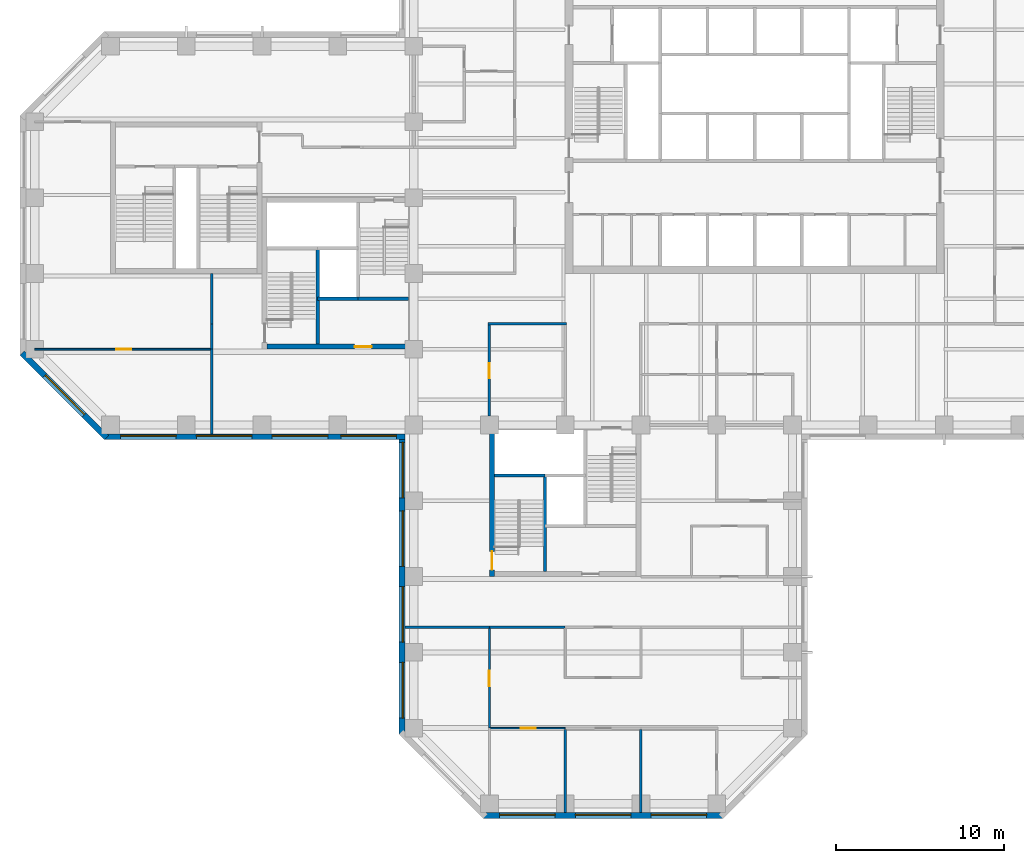
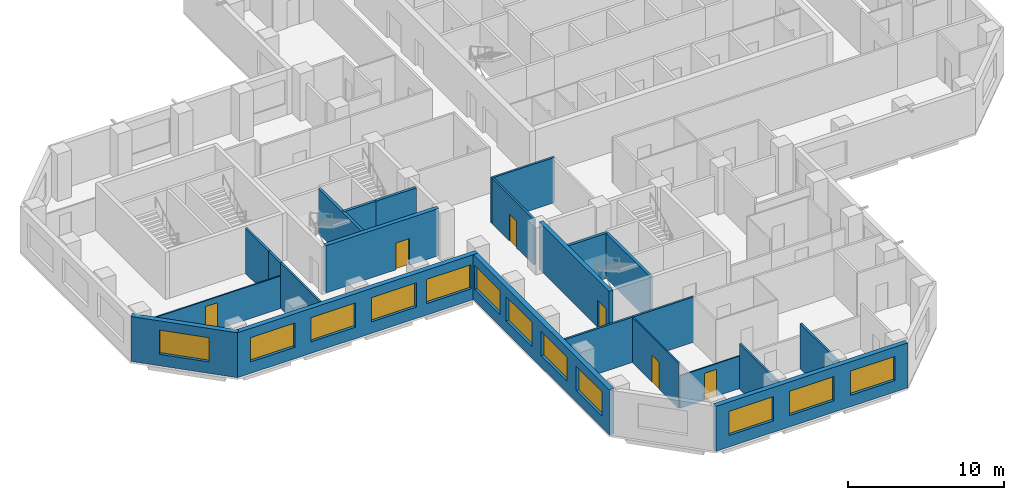
# One storey, part 3 of 11: 23 walls, 12 windows, 6 doors, 18 openings.
"""IFC4 building model written with IfcOpenShell, lengths in metres."""

from ifc_helpers import new_model, si_unit, direction, frame, frame_2d, origin, place, context, subcontext, project, spatial, rectangle, extrude, material, layer, layer_set, constituent, constituent_set, type_object, element, fill, save


model = new_model("IFC4")

# Units and contexts
model_context = context("Model", 3, precision=1e-05, world=origin(), true_north=direction((0.0, 1.0)))
body_context = subcontext(model_context, "Body", "Model", "MODEL_VIEW")
ifc_project = project(units=[si_unit("LENGTHUNIT", "METRE"), si_unit("AREAUNIT", "SQUARE_METRE"), si_unit("VOLUMEUNIT", "CUBIC_METRE"), si_unit("PLANEANGLEUNIT", "RADIAN"), si_unit("MASSUNIT", "GRAM", prefix="KILO")], contexts=[model_context])

# Site, building, storey
site_placement = place(None, origin())
site = spatial("IfcSite", under=ifc_project, at=site_placement, CompositionType="ELEMENT")
building_placement = place(site_placement, origin())
building = spatial("IfcBuilding", under=site, at=building_placement, Name="Quoin Convention Tower", CompositionType="ELEMENT")
storey_placement = place(building_placement, frame((0.0, 0.0, 78.89990234375)))
storey = spatial("IfcBuildingStorey", under=building, at=storey_placement, Name="L20", CompositionType="ELEMENT", Elevation=78.89990234375)

# Walls
ifc_material_1 = material(Name="Plasterboard")
ifc_layer_1 = layer(ifc_material_1, 0.012451171875, Name="Finish")
ifc_material_2 = material(Name="Steel stud framing", Category="steel")
ifc_layer_2 = layer(ifc_material_2, 0.125, Name="Structure")
ifc_layer_3 = layer(ifc_material_1, 0.012451171875, Name="Finish")
ifc_layer_set_1 = layer_set([ifc_layer_1, ifc_layer_2, ifc_layer_3], Name="Steel stud framing")
wall_type_1 = type_object("IfcWallType", Name="Acoustic partition 150", PredefinedType="PARTITIONING", material=ifc_layer_set_1)
for number, where, z_axis, x_axis, name in (
    (1, (45.0, 17.47509765625, 0.0), (0.0, 0.0, 1.0), (0.0, 1.0, 0.0), "pw-L20-063"),
    (2, (49.5, 17.47509765625, 0.0), (0.0, 0.0, 1.0), (0.0, 1.0, 0.0), "pw-L20-064"),
):
    element("IfcWall", number, at=place(storey_placement, frame(where, z_axis=z_axis, x_axis=x_axis)), inside=storey, type_object=wall_type_1, Name=name, PredefinedType="PARTITIONING", context=body_context, shape_type="SweptSolid", body=[
        extrude(rectangle(XDim=4.949951171875, YDim=0.14990234375, at=frame_2d((2.47509765625, 0.0))), origin(), (0.0, 0.0, 1.0), 3.550048828125),
    ])

# Wall, opening, window
ifc_material_3 = material(Name="Brick masonry", Category="masonry")
ifc_layer_4 = layer(ifc_material_3, 0.35009765625)
ifc_layer_set_2 = layer_set([ifc_layer_4], Name="Brick masonry")
wall_type_2 = type_object("IfcWallType", Name="Brick facade wall", PredefinedType="STANDARD", material=ifc_layer_set_2)
wall_1_placement = place(storey_placement, frame((12.748779296875, 44.76123046875, 0.0), z_axis=(0.0, 0.0, 1.0), x_axis=(0.707106781187, -0.707106781187, 0.0)))
wall_1 = element("IfcWall", 3, at=wall_1_placement, inside=storey, type_object=wall_type_2, Name="fw-L20-13500_45000", PredefinedType="STANDARD", context=body_context, shape_type="SweptSolid", body=[
    extrude(rectangle(XDim=7.088623046875, YDim=0.35009765625, at=frame_2d((3.54443359375, 0.0))), origin(), (0.0, 0.0, 1.0), 3.525146484375),
])
opening_1_placement = place(wall_1_placement, frame((1.894287109375, 0.0, 0.89990234375)))
opening_1 = element("IfcOpeningElement", 4, at=opening_1_placement, cuts=wall_1, Name="Opening W-02", PredefinedType="OPENING", context=body_context, shape_type="SweptSolid", body=[
    extrude(rectangle(XDim=3.300048828125, YDim=1.89990234375, at=frame_2d((1.64990234375, 0.949951171875))), frame((0.0, 0.18505859375, 0.0), z_axis=(0.0, -1.0, 0.0), x_axis=(1.0, 0.0, 0.0)), (0.0, 0.0, 1.0), 0.3701171875),
])
ifc_material_4 = material(Name="Aluminium", Category="aluminium")
ifc_constituent_1 = constituent(ifc_material_4, Name="Frame")
ifc_material_5 = material(Name="Insulated glass", Category="glass")
ifc_constituent_2 = constituent(ifc_material_5, Name="Glazing")
ifc_constituent_set = constituent_set(constituents=[ifc_constituent_1, ifc_constituent_2], Name="Aluminium")
window_type = type_object("IfcWindowType", Name="Office window", PartitioningType="DOUBLE_PANEL_VERTICAL", PredefinedType="WINDOW", material=ifc_constituent_set)
window_1_placement = place(opening_1_placement, origin())
window_1 = element("IfcWindow", 5, at=window_1_placement, inside=storey, type_object=window_type, Name="win-L20-15255_42255", OverallHeight=1.89990234375, OverallWidth=3.300048828125, PartitioningType="SINGLE_PANEL", PredefinedType="WINDOW", context=body_context, shape_type="SweptSolid", body=[
    extrude(rectangle(XDim=3.300048828125, YDim=1.89990234375, at=frame_2d((1.64990234375, 0.949951171875))), frame((0.0, 0.0849609375, 0.0), z_axis=(0.0, -1.0, 0.0), x_axis=(1.0, 0.0, 0.0)), (0.0, 0.0, 1.0), 0.06005859375),
])
fill(opening_1, window_1)

# Wall, openings, windows
wall_2_placement = place(storey_placement, frame((17.6376953125, 39.800048828125, 0.0), z_axis=(0.0, 0.0, 1.0), x_axis=(1.0, 0.0, 0.0)))
wall_2 = element("IfcWall", 6, at=wall_2_placement, inside=storey, type_object=wall_type_2, Name="fw-L20-18000_40500", PredefinedType="STANDARD", context=body_context, shape_type="SweptSolid", body=[
    extrude(rectangle(XDim=17.83740234375, YDim=0.35009765625, at=frame_2d((8.918701171875, 0.0))), origin(), (0.0, 0.0, 1.0), 3.525146484375),
])
opening_2_placement = place(wall_2_placement, frame((0.96240234375, 0.0, 0.89990234375)))
opening_2 = element("IfcOpeningElement", 7, at=opening_2_placement, cuts=wall_2, Name="Opening W-02", PredefinedType="OPENING", context=body_context, shape_type="SweptSolid", body=[
    extrude(rectangle(XDim=3.300048828125, YDim=1.89990234375, at=frame_2d((1.64990234375, 0.949951171875))), frame((0.0, 0.18505859375, 0.0), z_axis=(0.0, -1.0, 0.0), x_axis=(1.0, 0.0, 0.0)), (0.0, 0.0, 1.0), 0.3701171875),
])
opening_3_placement = place(wall_2_placement, frame((5.46240234375, 0.0, 0.89990234375)))
opening_3 = element("IfcOpeningElement", 8, at=opening_3_placement, cuts=wall_2, Name="Opening W-02", PredefinedType="OPENING", context=body_context, shape_type="SweptSolid", body=[
    extrude(rectangle(XDim=3.300048828125, YDim=1.89990234375, at=frame_2d((1.64990234375, 0.949951171875))), frame((0.0, 0.18505859375, 0.0), z_axis=(0.0, -1.0, 0.0), x_axis=(1.0, 0.0, 0.0)), (0.0, 0.0, 1.0), 0.3701171875),
])
opening_4_placement = place(wall_2_placement, frame((9.96240234375, 0.0, 0.89990234375)))
opening_4 = element("IfcOpeningElement", 9, at=opening_4_placement, cuts=wall_2, Name="Opening W-02", PredefinedType="OPENING", context=body_context, shape_type="SweptSolid", body=[
    extrude(rectangle(XDim=3.300048828125, YDim=1.89990234375, at=frame_2d((1.64990234375, 0.949951171875))), frame((0.0, 0.18505859375, 0.0), z_axis=(0.0, -1.0, 0.0), x_axis=(1.0, 0.0, 0.0)), (0.0, 0.0, 1.0), 0.3701171875),
])
opening_5_placement = place(wall_2_placement, frame((14.037353515625, 0.0, 0.89990234375)))
opening_5 = element("IfcOpeningElement", 10, at=opening_5_placement, cuts=wall_2, Name="Opening W-02", PredefinedType="OPENING", context=body_context, shape_type="SweptSolid", body=[
    extrude(rectangle(XDim=3.300048828125, YDim=1.89990234375, at=frame_2d((1.64990234375, 0.949951171875))), frame((0.0, 0.18505859375, 0.0), z_axis=(0.0, -1.0, 0.0), x_axis=(1.0, 0.0, 0.0)), (0.0, 0.0, 1.0), 0.3701171875),
])
window_2_placement = place(opening_2_placement, origin())
window_2 = element("IfcWindow", 11, at=window_2_placement, inside=storey, type_object=window_type, Name="win-L20-20250_39800", OverallHeight=1.89990234375, OverallWidth=3.300048828125, PartitioningType="SINGLE_PANEL", PredefinedType="WINDOW", context=body_context, shape_type="SweptSolid", body=[
    extrude(rectangle(XDim=3.300048828125, YDim=1.89990234375, at=frame_2d((1.64990234375, 0.949951171875))), frame((0.0, 0.0849609375, 0.0), z_axis=(0.0, -1.0, 0.0), x_axis=(1.0, 0.0, 0.0)), (0.0, 0.0, 1.0), 0.06005859375),
])
fill(opening_2, window_2)
window_3_placement = place(opening_3_placement, origin())
window_3 = element("IfcWindow", 12, at=window_3_placement, inside=storey, type_object=window_type, Name="win-L20-24750_39800", OverallHeight=1.89990234375, OverallWidth=3.300048828125, PartitioningType="SINGLE_PANEL", PredefinedType="WINDOW", context=body_context, shape_type="SweptSolid", body=[
    extrude(rectangle(XDim=3.300048828125, YDim=1.89990234375, at=frame_2d((1.64990234375, 0.949951171875))), frame((0.0, 0.0849609375, 0.0), z_axis=(0.0, -1.0, 0.0), x_axis=(1.0, 0.0, 0.0)), (0.0, 0.0, 1.0), 0.06005859375),
])
fill(opening_3, window_3)
window_4_placement = place(opening_4_placement, origin())
window_4 = element("IfcWindow", 13, at=window_4_placement, inside=storey, type_object=window_type, Name="win-L20-29250_39800", OverallHeight=1.89990234375, OverallWidth=3.300048828125, PartitioningType="SINGLE_PANEL", PredefinedType="WINDOW", context=body_context, shape_type="SweptSolid", body=[
    extrude(rectangle(XDim=3.300048828125, YDim=1.89990234375, at=frame_2d((1.64990234375, 0.949951171875))), frame((0.0, 0.0849609375, 0.0), z_axis=(0.0, -1.0, 0.0), x_axis=(1.0, 0.0, 0.0)), (0.0, 0.0, 1.0), 0.06005859375),
])
fill(opening_4, window_4)
window_5_placement = place(opening_5_placement, origin())
window_5 = element("IfcWindow", 14, at=window_5_placement, inside=storey, type_object=window_type, Name="win-L20-33750_39800", OverallHeight=1.89990234375, OverallWidth=3.300048828125, PartitioningType="SINGLE_PANEL", PredefinedType="WINDOW", context=body_context, shape_type="SweptSolid", body=[
    extrude(rectangle(XDim=3.300048828125, YDim=1.89990234375, at=frame_2d((1.64990234375, 0.949951171875))), frame((0.0, 0.0849609375, 0.0), z_axis=(0.0, -1.0, 0.0), x_axis=(1.0, 0.0, 0.0)), (0.0, 0.0, 1.0), 0.06005859375),
])
fill(opening_5, window_5)

wall_3_placement = place(storey_placement, frame((35.300048828125, 39.97509765625, 0.0), z_axis=(0.0, 0.0, 1.0), x_axis=(0.0, -1.0, 0.0)))
wall_3 = element("IfcWall", 15, at=wall_3_placement, inside=storey, type_object=wall_type_2, Name="fw-L20-36000_40500", PredefinedType="STANDARD", context=body_context, shape_type="SweptSolid", body=[
    extrude(rectangle(XDim=17.83740234375, YDim=0.35009765625, at=frame_2d((8.918701171875, 0.0))), origin(), (0.0, 0.0, 1.0), 3.525146484375),
])
opening_6_placement = place(wall_3_placement, frame((0.5, 0.0, 0.89990234375)))
opening_6 = element("IfcOpeningElement", 16, at=opening_6_placement, cuts=wall_3, Name="Opening W-02", PredefinedType="OPENING", context=body_context, shape_type="SweptSolid", body=[
    extrude(rectangle(XDim=3.300048828125, YDim=1.89990234375, at=frame_2d((1.64990234375, 0.949951171875))), frame((0.0, 0.18505859375, 0.0), z_axis=(0.0, -1.0, 0.0), x_axis=(1.0, 0.0, 0.0)), (0.0, 0.0, 1.0), 0.3701171875),
])
opening_7_placement = place(wall_3_placement, frame((4.574951171875, 0.0, 0.89990234375)))
opening_7 = element("IfcOpeningElement", 17, at=opening_7_placement, cuts=wall_3, Name="Opening W-02", PredefinedType="OPENING", context=body_context, shape_type="SweptSolid", body=[
    extrude(rectangle(XDim=3.300048828125, YDim=1.89990234375, at=frame_2d((1.64990234375, 0.949951171875))), frame((0.0, 0.18505859375, 0.0), z_axis=(0.0, -1.0, 0.0), x_axis=(1.0, 0.0, 0.0)), (0.0, 0.0, 1.0), 0.3701171875),
])
opening_8_placement = place(wall_3_placement, frame((9.074951171875, 0.0, 0.89990234375)))
opening_8 = element("IfcOpeningElement", 18, at=opening_8_placement, cuts=wall_3, Name="Opening W-02", PredefinedType="OPENING", context=body_context, shape_type="SweptSolid", body=[
    extrude(rectangle(XDim=3.300048828125, YDim=1.89990234375, at=frame_2d((1.64990234375, 0.949951171875))), frame((0.0, 0.18505859375, 0.0), z_axis=(0.0, -1.0, 0.0), x_axis=(1.0, 0.0, 0.0)), (0.0, 0.0, 1.0), 0.3701171875),
])
opening_9_placement = place(wall_3_placement, frame((13.574951171875, 0.0, 0.89990234375)))
opening_9 = element("IfcOpeningElement", 19, at=opening_9_placement, cuts=wall_3, Name="Opening W-02", PredefinedType="OPENING", context=body_context, shape_type="SweptSolid", body=[
    extrude(rectangle(XDim=3.300048828125, YDim=1.89990234375, at=frame_2d((1.64990234375, 0.949951171875))), frame((0.0, 0.18505859375, 0.0), z_axis=(0.0, -1.0, 0.0), x_axis=(1.0, 0.0, 0.0)), (0.0, 0.0, 1.0), 0.3701171875),
])
window_6_placement = place(opening_6_placement, origin())
window_6 = element("IfcWindow", 20, at=window_6_placement, inside=storey, type_object=window_type, Name="win-L20-35300_38250", OverallHeight=1.89990234375, OverallWidth=3.300048828125, PartitioningType="SINGLE_PANEL", PredefinedType="WINDOW", context=body_context, shape_type="SweptSolid", body=[
    extrude(rectangle(XDim=3.300048828125, YDim=1.89990234375, at=frame_2d((1.64990234375, 0.949951171875))), frame((0.0, 0.0849609375, 0.0), z_axis=(0.0, -1.0, 0.0), x_axis=(1.0, 0.0, 0.0)), (0.0, 0.0, 1.0), 0.06005859375),
])
fill(opening_6, window_6)
window_7_placement = place(opening_7_placement, origin())
window_7 = element("IfcWindow", 21, at=window_7_placement, inside=storey, type_object=window_type, Name="win-L20-35300_33750", OverallHeight=1.89990234375, OverallWidth=3.300048828125, PartitioningType="SINGLE_PANEL", PredefinedType="WINDOW", context=body_context, shape_type="SweptSolid", body=[
    extrude(rectangle(XDim=3.300048828125, YDim=1.89990234375, at=frame_2d((1.64990234375, 0.949951171875))), frame((0.0, 0.0849609375, 0.0), z_axis=(0.0, -1.0, 0.0), x_axis=(1.0, 0.0, 0.0)), (0.0, 0.0, 1.0), 0.06005859375),
])
fill(opening_7, window_7)
window_8_placement = place(opening_8_placement, origin())
window_8 = element("IfcWindow", 22, at=window_8_placement, inside=storey, type_object=window_type, Name="win-L20-35300_29250", OverallHeight=1.89990234375, OverallWidth=3.300048828125, PartitioningType="SINGLE_PANEL", PredefinedType="WINDOW", context=body_context, shape_type="SweptSolid", body=[
    extrude(rectangle(XDim=3.300048828125, YDim=1.89990234375, at=frame_2d((1.64990234375, 0.949951171875))), frame((0.0, 0.0849609375, 0.0), z_axis=(0.0, -1.0, 0.0), x_axis=(1.0, 0.0, 0.0)), (0.0, 0.0, 1.0), 0.06005859375),
])
fill(opening_8, window_8)
window_9_placement = place(opening_9_placement, origin())
window_9 = element("IfcWindow", 23, at=window_9_placement, inside=storey, type_object=window_type, Name="win-L20-35300_24750", OverallHeight=1.89990234375, OverallWidth=3.300048828125, PartitioningType="SINGLE_PANEL", PredefinedType="WINDOW", context=body_context, shape_type="SweptSolid", body=[
    extrude(rectangle(XDim=3.300048828125, YDim=1.89990234375, at=frame_2d((1.64990234375, 0.949951171875))), frame((0.0, 0.0849609375, 0.0), z_axis=(0.0, -1.0, 0.0), x_axis=(1.0, 0.0, 0.0)), (0.0, 0.0, 1.0), 0.06005859375),
])
fill(opening_9, window_9)

wall_4_placement = place(storey_placement, frame((40.1376953125, 17.300048828125, 0.0), z_axis=(0.0, 0.0, 1.0), x_axis=(1.0, 0.0, 0.0)))
wall_4 = element("IfcWall", 24, at=wall_4_placement, inside=storey, type_object=wall_type_2, Name="fw-L20-40500_18000", PredefinedType="STANDARD", context=body_context, shape_type="SweptSolid", body=[
    extrude(rectangle(XDim=14.224609375, YDim=0.35009765625, at=frame_2d((7.1123046875, 0.0))), origin(), (0.0, 0.0, 1.0), 3.525146484375),
])
opening_10_placement = place(wall_4_placement, frame((0.96240234375, 0.0, 0.89990234375)))
opening_10 = element("IfcOpeningElement", 25, at=opening_10_placement, cuts=wall_4, Name="Opening W-02", PredefinedType="OPENING", context=body_context, shape_type="SweptSolid", body=[
    extrude(rectangle(XDim=3.300048828125, YDim=1.89990234375, at=frame_2d((1.64990234375, 0.949951171875))), frame((0.0, 0.18505859375, 0.0), z_axis=(0.0, -1.0, 0.0), x_axis=(1.0, 0.0, 0.0)), (0.0, 0.0, 1.0), 0.3701171875),
])
opening_11_placement = place(wall_4_placement, frame((5.46240234375, 0.0, 0.89990234375)))
opening_11 = element("IfcOpeningElement", 26, at=opening_11_placement, cuts=wall_4, Name="Opening W-02", PredefinedType="OPENING", context=body_context, shape_type="SweptSolid", body=[
    extrude(rectangle(XDim=3.300048828125, YDim=1.89990234375, at=frame_2d((1.64990234375, 0.949951171875))), frame((0.0, 0.18505859375, 0.0), z_axis=(0.0, -1.0, 0.0), x_axis=(1.0, 0.0, 0.0)), (0.0, 0.0, 1.0), 0.3701171875),
])
opening_12_placement = place(wall_4_placement, frame((9.96240234375, 0.0, 0.89990234375)))
opening_12 = element("IfcOpeningElement", 27, at=opening_12_placement, cuts=wall_4, Name="Opening W-02", PredefinedType="OPENING", context=body_context, shape_type="SweptSolid", body=[
    extrude(rectangle(XDim=3.300048828125, YDim=1.89990234375, at=frame_2d((1.64990234375, 0.949951171875))), frame((0.0, 0.18505859375, 0.0), z_axis=(0.0, -1.0, 0.0), x_axis=(1.0, 0.0, 0.0)), (0.0, 0.0, 1.0), 0.3701171875),
])
window_10_placement = place(opening_10_placement, origin())
window_10 = element("IfcWindow", 28, at=window_10_placement, inside=storey, type_object=window_type, Name="win-L20-42750_17300", OverallHeight=1.89990234375, OverallWidth=3.300048828125, PartitioningType="SINGLE_PANEL", PredefinedType="WINDOW", context=body_context, shape_type="SweptSolid", body=[
    extrude(rectangle(XDim=3.300048828125, YDim=1.89990234375, at=frame_2d((1.64990234375, 0.949951171875))), frame((0.0, 0.0849609375, 0.0), z_axis=(0.0, -1.0, 0.0), x_axis=(1.0, 0.0, 0.0)), (0.0, 0.0, 1.0), 0.06005859375),
])
fill(opening_10, window_10)
window_11_placement = place(opening_11_placement, origin())
window_11 = element("IfcWindow", 29, at=window_11_placement, inside=storey, type_object=window_type, Name="win-L20-47250_17300", OverallHeight=1.89990234375, OverallWidth=3.300048828125, PartitioningType="SINGLE_PANEL", PredefinedType="WINDOW", context=body_context, shape_type="SweptSolid", body=[
    extrude(rectangle(XDim=3.300048828125, YDim=1.89990234375, at=frame_2d((1.64990234375, 0.949951171875))), frame((0.0, 0.0849609375, 0.0), z_axis=(0.0, -1.0, 0.0), x_axis=(1.0, 0.0, 0.0)), (0.0, 0.0, 1.0), 0.06005859375),
])
fill(opening_11, window_11)
window_12_placement = place(opening_12_placement, origin())
window_12 = element("IfcWindow", 30, at=window_12_placement, inside=storey, type_object=window_type, Name="win-L20-51750_17300", OverallHeight=1.89990234375, OverallWidth=3.300048828125, PartitioningType="SINGLE_PANEL", PredefinedType="WINDOW", context=body_context, shape_type="SweptSolid", body=[
    extrude(rectangle(XDim=3.300048828125, YDim=1.89990234375, at=frame_2d((1.64990234375, 0.949951171875))), frame((0.0, 0.0849609375, 0.0), z_axis=(0.0, -1.0, 0.0), x_axis=(1.0, 0.0, 0.0)), (0.0, 0.0, 1.0), 0.06005859375),
])
fill(opening_12, window_12)

# Walls
ifc_material_6 = material(Name="Concrete C50", Category="concrete")
ifc_layer_5 = layer(ifc_material_6, 0.199951171875)
ifc_layer_set_3 = layer_set([ifc_layer_5], Name="Concrete C50")
wall_type_3 = type_object("IfcWallType", Name="Core shaft wall", PredefinedType="SOLIDWALL", material=ifc_layer_set_3)
wall_5_placement = place(storey_placement, frame((30.300048828125, 48.0, 0.0), z_axis=(0.0, 0.0, 1.0), x_axis=(1.0, 0.0, 0.0)))
element("IfcWall", 31, at=wall_5_placement, inside=storey, type_object=wall_type_3, Name="cr-P2-L20-h3000_3300", PredefinedType="SOLIDWALL", context=body_context, shape_type="SweptSolid", body=[
    extrude(rectangle(XDim=2.39990234375, YDim=0.199951171875, at=frame_2d((1.199951171875, 0.0))), origin(), (0.0, 0.0, 1.0), 3.550048828125),
])
wall_6_placement = place(storey_placement, frame((32.699951171875, 48.0, 0.0), z_axis=(0.0, 0.0, 1.0), x_axis=(1.0, 0.0, 0.0)))
element("IfcWall", 32, at=wall_6_placement, inside=storey, type_object=wall_type_3, Name="cr-P2-L20-h3000_5700", PredefinedType="SOLIDWALL", context=body_context, shape_type="SweptSolid", body=[
    extrude(rectangle(XDim=3.0, YDim=0.199951171875, at=frame_2d((1.5, 0.0))), origin(), (0.0, 0.0, 1.0), 3.550048828125),
])
wall_7_placement = place(storey_placement, frame((30.300048828125, 45.300048828125, 0.0), z_axis=(0.0, 0.0, 1.0), x_axis=(0.0, 1.0, 0.0)))
element("IfcWall", 33, at=wall_7_placement, inside=storey, type_object=wall_type_3, Name="cr-P2-L20-v3300_300", PredefinedType="SOLIDWALL", context=body_context, shape_type="SweptSolid", body=[
    extrude(rectangle(XDim=5.699951171875, YDim=0.199951171875, at=frame_2d((2.85009765625, 0.0))), origin(), (0.0, 0.0, 1.0), 3.550048828125),
])
wall_8_placement = place(storey_placement, frame((40.800048828125, 37.5, 0.0), z_axis=(0.0, 0.0, 1.0), x_axis=(1.0, 0.0, 0.0)))
element("IfcWall", 34, at=wall_8_placement, inside=storey, type_object=wall_type_3, Name="cr-P3-L20-h6000_300", PredefinedType="SOLIDWALL", context=body_context, shape_type="SweptSolid", body=[
    extrude(rectangle(XDim=3.0, YDim=0.199951171875, at=frame_2d((1.5, 0.0))), origin(), (0.0, 0.0, 1.0), 3.550048828125),
])
wall_9_placement = place(storey_placement, frame((43.800048828125, 31.800048828125, 0.0), z_axis=(0.0, 0.0, 1.0), x_axis=(0.0, 1.0, 0.0)))
element("IfcWall", 35, at=wall_9_placement, inside=storey, type_object=wall_type_3, Name="cr-P3-L20-v3300_300", PredefinedType="SOLIDWALL", context=body_context, shape_type="SweptSolid", body=[
    extrude(rectangle(XDim=5.699951171875, YDim=0.199951171875, at=frame_2d((2.85009765625, 0.0))), origin(), (0.0, 0.0, 1.0), 3.550048828125),
])
ifc_layer_6 = layer(ifc_material_1, 0.012451171875, Name="Finish")
ifc_layer_7 = layer(ifc_material_2, 0.125, Name="Structure")
ifc_layer_8 = layer(ifc_material_1, 0.012451171875, Name="Finish")
ifc_layer_set_4 = layer_set([ifc_layer_6, ifc_layer_7, ifc_layer_8], Name="Steel stud framing")
wall_type_4 = type_object("IfcWallType", Name="Corridor wall 150", PredefinedType="PARTITIONING", material=ifc_layer_set_4)
wall_10_placement = place(storey_placement, frame((35.47509765625, 28.5, 0.0), z_axis=(0.0, 0.0, 1.0), x_axis=(1.0, 0.0, 0.0)))
element("IfcWall", 36, at=wall_10_placement, inside=storey, type_object=wall_type_4, Name="pw-L20-006", PredefinedType="PARTITIONING", context=body_context, shape_type="SweptSolid", body=[
    extrude(rectangle(XDim=5.02490234375, YDim=0.14990234375, at=frame_2d((2.512451171875, 0.0))), origin(), (0.0, 0.0, 1.0), 3.550048828125),
])
wall_11_placement = place(storey_placement, frame((40.5, 28.5, 0.0), z_axis=(0.0, 0.0, 1.0), x_axis=(1.0, 0.0, 0.0)))
element("IfcWall", 37, at=wall_11_placement, inside=storey, type_object=wall_type_4, Name="pw-L20-007", PredefinedType="PARTITIONING", context=body_context, shape_type="SweptSolid", body=[
    extrude(rectangle(XDim=4.5, YDim=0.14990234375, at=frame_2d((2.25, 0.0))), origin(), (0.0, 0.0, 1.0), 3.550048828125),
])
wall_12_placement = place(storey_placement, frame((40.425048828125, 46.5, 0.0), z_axis=(0.0, 0.0, 1.0), x_axis=(1.0, 0.0, 0.0)))
element("IfcWall", 38, at=wall_12_placement, inside=storey, type_object=wall_type_4, Name="pw-L20-024", PredefinedType="PARTITIONING", context=body_context, shape_type="SweptSolid", body=[
    extrude(rectangle(XDim=4.64990234375, YDim=0.14990234375, at=frame_2d((2.324951171875, 0.0))), origin(), (0.0, 0.0, 1.0), 3.550048828125),
])
wall_13_placement = place(storey_placement, frame((24.0, 39.97509765625, 0.0), z_axis=(0.0, 0.0, 1.0), x_axis=(0.0, 1.0, 0.0)))
element("IfcWall", 39, at=wall_13_placement, inside=storey, type_object=wall_type_4, Name="pw-L20-074", PredefinedType="PARTITIONING", context=body_context, shape_type="SweptSolid", body=[
    extrude(rectangle(XDim=5.02490234375, YDim=0.14990234375, at=frame_2d((2.512451171875, 0.0))), origin(), (0.0, 0.0, 1.0), 3.550048828125),
])

# Wall, opening, door
wall_14_placement = place(storey_placement, frame((40.5, 41.02490234375, 0.0), z_axis=(0.0, 0.0, 1.0), x_axis=(0.0, 1.0, 0.0)))
wall_14 = element("IfcWall", 40, at=wall_14_placement, inside=storey, type_object=wall_type_4, Name="pw-L20-075", PredefinedType="PARTITIONING", context=body_context, shape_type="SweptSolid", body=[
    extrude(rectangle(XDim=5.400146484375, YDim=0.14990234375, at=frame_2d((2.7001953125, 0.0))), origin(), (0.0, 0.0, 1.0), 3.550048828125),
])
opening_13_placement = place(wall_14_placement, frame((2.25, 0.0, 0.0)))
opening_13 = element("IfcOpeningElement", 41, at=opening_13_placement, cuts=wall_14, Name="Opening DOL1-24", PredefinedType="OPENING", context=body_context, shape_type="SweptSolid", body=[
    extrude(rectangle(XDim=0.89990234375, YDim=2.10009765625, at=frame_2d((0.449951171875, 1.050048828125))), frame((0.0, 0.0849609375, 0.0), z_axis=(0.0, -1.0, 0.0), x_axis=(1.0, 0.0, 0.0)), (0.0, 0.0, 1.0), 0.169921875),
])
ifc_material_7 = material(Name="Steel door leaf", Category="steel")
door_type_1 = type_object("IfcDoorType", Name="Office door 900 x 2100", OperationType="SINGLE_SWING_RIGHT", PredefinedType="DOOR", material=ifc_material_7)
door_1_placement = place(opening_13_placement, frame((0.89990234375, 0.0, 0.0), z_axis=(0.0, 0.0, 1.0), x_axis=(-1.0, 0.0, 0.0)))
door_1 = element("IfcDoor", 42, at=door_1_placement, inside=storey, type_object=door_type_1, Name="dr-L20-02", OperationType="SINGLE_SWING_LEFT", OverallHeight=2.10009765625, OverallWidth=0.89990234375, PredefinedType="DOOR", context=body_context, shape_type="SweptSolid", body=[
    extrude(rectangle(XDim=0.89990234375, YDim=2.10009765625, at=frame_2d((0.449951171875, 1.050048828125))), frame((0.0, 0.02490234375, 0.0), z_axis=(0.0, -1.0, 0.0), x_axis=(1.0, 0.0, 0.0)), (0.0, 0.0, 1.0), 0.050048828125),
])
fill(opening_13, door_1)

# Walls
wall_15_placement = place(storey_placement, frame((24.0, 45.0, 0.0), z_axis=(0.0, 0.0, 1.0), x_axis=(0.0, 1.0, 0.0)))
element("IfcWall", 43, at=wall_15_placement, inside=storey, type_object=wall_type_4, Name="pw-L20-083", PredefinedType="PARTITIONING", context=body_context, shape_type="SweptSolid", body=[
    extrude(rectangle(XDim=1.5, YDim=0.14990234375, at=frame_2d((0.75, 0.0))), origin(), (0.0, 0.0, 1.0), 3.550048828125),
])
wall_16_placement = place(storey_placement, frame((24.0, 46.5, 0.0), z_axis=(0.0, 0.0, 1.0), x_axis=(0.0, 1.0, 0.0)))
element("IfcWall", 44, at=wall_16_placement, inside=storey, type_object=wall_type_4, Name="pw-L20-085", PredefinedType="PARTITIONING", context=body_context, shape_type="SweptSolid", body=[
    extrude(rectangle(XDim=3.0, YDim=0.14990234375, at=frame_2d((1.5, 0.0))), origin(), (0.0, 0.0, 1.0), 3.550048828125),
])

# Wall, opening, door
ifc_material_8 = material(Name="Concrete C65", Category="concrete")
ifc_layer_9 = layer(ifc_material_8, 0.300048828125)
ifc_layer_set_5 = layer_set([ifc_layer_9], Name="Concrete C65")
wall_type_5 = type_object("IfcWallType", Name="RC CORE WALL 300 C65", PredefinedType="SHEAR", material=ifc_layer_set_5)
wall_17_placement = place(storey_placement, frame((27.300048828125, 45.14990234375, 0.0), z_axis=(0.0, 0.0, 1.0), x_axis=(1.0, 0.0, 0.0)))
wall_17 = element("IfcWall", 45, at=wall_17_placement, inside=storey, type_object=wall_type_5, Name="cwl-P2-L20-S", PredefinedType="SHEAR", context=body_context, shape_type="SweptSolid", body=[
    extrude(rectangle(XDim=8.39990234375, YDim=0.300048828125, at=frame_2d((4.199951171875, 0.0))), origin(), (0.0, 0.0, 1.0), 3.7001953125),
])
opening_14_placement = place(wall_17_placement, frame((5.199951171875, 0.0, 0.0)))
opening_14 = element("IfcOpeningElement", 46, at=opening_14_placement, cuts=wall_17, Name="Opening DCV1-50", PredefinedType="OPENING", context=body_context, shape_type="SweptSolid", body=[
    extrude(rectangle(XDim=1.0, YDim=2.10009765625, at=frame_2d((0.5, 1.050048828125))), frame((0.0, 0.159912109375, 0.0), z_axis=(0.0, -1.0, 0.0), x_axis=(1.0, 0.0, 0.0)), (0.0, 0.0, 1.0), 0.320068359375),
])
door_type_2 = type_object("IfcDoorType", Name="Service door 1000 x 2100", OperationType="SINGLE_SWING_LEFT", PredefinedType="DOOR", material=ifc_material_7)
door_2_placement = place(opening_14_placement, origin())
door_2 = element("IfcDoor", 47, at=door_2_placement, inside=storey, type_object=door_type_2, Name="cd-P2-L20-R2-S", OperationType="SINGLE_SWING_LEFT", OverallHeight=2.10009765625, OverallWidth=1.0, PredefinedType="DOOR", context=body_context, shape_type="SweptSolid", body=[
    extrude(rectangle(XDim=1.0, YDim=2.10009765625, at=frame_2d((0.5, 1.050048828125))), frame((0.0, 0.02490234375, 0.0), z_axis=(0.0, -1.0, 0.0), x_axis=(1.0, 0.0, 0.0)), (0.0, 0.0, 1.0), 0.050048828125),
])
fill(opening_14, door_2)

wall_18_placement = place(storey_placement, frame((40.64990234375, 31.5, 0.0), z_axis=(0.0, 0.0, 1.0), x_axis=(0.0, 1.0, 0.0)))
wall_18 = element("IfcWall", 48, at=wall_18_placement, inside=storey, type_object=wall_type_5, Name="cwl-P3-L20-W", PredefinedType="SHEAR", context=body_context, shape_type="SweptSolid", body=[
    extrude(rectangle(XDim=9.0, YDim=0.300048828125, at=frame_2d((4.5, 0.0))), origin(), (0.0, 0.0, 1.0), 3.7001953125),
])
opening_15_placement = place(wall_18_placement, frame((0.39990234375, 0.0, 0.0)))
opening_15 = element("IfcOpeningElement", 49, at=opening_15_placement, cuts=wall_18, Name="Opening SD5", PredefinedType="OPENING", context=body_context, shape_type="SweptSolid", body=[
    extrude(rectangle(XDim=1.10009765625, YDim=2.10009765625, at=frame_2d((0.550048828125, 1.050048828125))), frame((0.0, 0.159912109375, 0.0), z_axis=(0.0, -1.0, 0.0), x_axis=(1.0, 0.0, 0.0)), (0.0, 0.0, 1.0), 0.320068359375),
])
door_type_3 = type_object("IfcDoorType", Name="Stair door 1100 x 2100", OperationType="SINGLE_SWING_RIGHT", PredefinedType="DOOR", material=ifc_material_7)
door_3_placement = place(opening_15_placement, frame((1.10009765625, 0.0, 0.0), z_axis=(0.0, 0.0, 1.0), x_axis=(-1.0, 0.0, 0.0)))
door_3 = element("IfcDoor", 50, at=door_3_placement, inside=storey, type_object=door_type_3, Name="cd-P3-L20-SA-W", OperationType="SINGLE_SWING_RIGHT", OverallHeight=2.10009765625, OverallWidth=1.10009765625, PredefinedType="DOOR", context=body_context, shape_type="SweptSolid", body=[
    extrude(rectangle(XDim=1.10009765625, YDim=2.10009765625, at=frame_2d((0.550048828125, 1.050048828125))), frame((0.0, 0.02490234375, 0.0), z_axis=(0.0, -1.0, 0.0), x_axis=(1.0, 0.0, 0.0)), (0.0, 0.0, 1.0), 0.050048828125),
])
fill(opening_15, door_3)

ifc_layer_10 = layer(ifc_material_1, 0.012451171875, Name="Finish")
ifc_layer_11 = layer(ifc_material_2, 0.074951171875, Name="Structure")
ifc_layer_12 = layer(ifc_material_1, 0.012451171875, Name="Finish")
ifc_layer_set_6 = layer_set([ifc_layer_10, ifc_layer_11, ifc_layer_12], Name="Steel stud framing")
wall_type_6 = type_object("IfcWallType", Name="Stud partition 100", PredefinedType="PARTITIONING", material=ifc_layer_set_6)
wall_19_placement = place(storey_placement, frame((40.5, 22.5, 0.0), z_axis=(0.0, 0.0, 1.0), x_axis=(0.0, 1.0, 0.0)))
wall_19 = element("IfcWall", 51, at=wall_19_placement, inside=storey, type_object=wall_type_6, Name="pw-L20-067", PredefinedType="PARTITIONING", context=body_context, shape_type="SweptSolid", body=[
    extrude(rectangle(XDim=5.925048828125, YDim=0.10009765625, at=frame_2d((2.96240234375, 0.0))), origin(), (0.0, 0.0, 1.0), 3.550048828125),
])
opening_16_placement = place(wall_19_placement, frame((2.5, 0.0, 0.0)))
opening_16 = element("IfcOpeningElement", 52, at=opening_16_placement, cuts=wall_19, Name="Opening DOL1-23", PredefinedType="OPENING", context=body_context, shape_type="SweptSolid", body=[
    extrude(rectangle(XDim=0.89990234375, YDim=2.10009765625, at=frame_2d((0.449951171875, 1.050048828125))), frame((0.0, 0.06005859375, 0.0), z_axis=(0.0, -1.0, 0.0), x_axis=(1.0, 0.0, 0.0)), (0.0, 0.0, 1.0), 0.1201171875),
])
door_4_placement = place(opening_16_placement, frame((0.89990234375, 0.0, 0.0), z_axis=(0.0, 0.0, 1.0), x_axis=(-1.0, 0.0, 0.0)))
door_4 = element("IfcDoor", 53, at=door_4_placement, inside=storey, type_object=door_type_1, Name="dr-L20-15", OperationType="SINGLE_SWING_RIGHT", OverallHeight=2.10009765625, OverallWidth=0.89990234375, PredefinedType="DOOR", context=body_context, shape_type="SweptSolid", body=[
    extrude(rectangle(XDim=0.89990234375, YDim=2.10009765625, at=frame_2d((0.449951171875, 1.050048828125))), frame((0.0, 0.02490234375, 0.0), z_axis=(0.0, -1.0, 0.0), x_axis=(1.0, 0.0, 0.0)), (0.0, 0.0, 1.0), 0.050048828125),
])
fill(opening_16, door_4)

ifc_layer_13 = layer(ifc_material_1, 0.012451171875, Name="Finish")
ifc_layer_14 = layer(ifc_material_2, 0.074951171875, Name="Structure")
ifc_layer_15 = layer(ifc_material_1, 0.012451171875, Name="Finish")
ifc_layer_set_7 = layer_set([ifc_layer_13, ifc_layer_14, ifc_layer_15], Name="Steel stud framing")
wall_type_7 = type_object("IfcWallType", Name="Stud partition 100 under beam 1000", PredefinedType="PARTITIONING", material=ifc_layer_set_7)
wall_20_placement = place(storey_placement, frame((40.550048828125, 22.5, 0.0), z_axis=(0.0, 0.0, 1.0), x_axis=(1.0, 0.0, 0.0)))
wall_20 = element("IfcWall", 54, at=wall_20_placement, inside=storey, type_object=wall_type_7, Name="pw-L20-001", PredefinedType="PARTITIONING", context=body_context, shape_type="SweptSolid", body=[
    extrude(rectangle(XDim=4.449951171875, YDim=0.10009765625, at=frame_2d((2.22509765625, 0.0))), origin(), (0.0, 0.0, 1.0), 2.550048828125),
])
opening_17_placement = place(wall_20_placement, frame((1.800048828125, 0.0, 0.0)))
opening_17 = element("IfcOpeningElement", 55, at=opening_17_placement, cuts=wall_20, Name="Opening DOL1-01", PredefinedType="OPENING", context=body_context, shape_type="SweptSolid", body=[
    extrude(rectangle(XDim=0.89990234375, YDim=2.10009765625, at=frame_2d((0.449951171875, 1.050048828125))), frame((0.0, 0.06005859375, 0.0), z_axis=(0.0, -1.0, 0.0), x_axis=(1.0, 0.0, 0.0)), (0.0, 0.0, 1.0), 0.1201171875),
])
door_5_placement = place(opening_17_placement, origin())
door_5 = element("IfcDoor", 56, at=door_5_placement, inside=storey, type_object=door_type_1, Name="dr-L20-16", OperationType="SINGLE_SWING_RIGHT", OverallHeight=2.10009765625, OverallWidth=0.89990234375, PredefinedType="DOOR", context=body_context, shape_type="SweptSolid", body=[
    extrude(rectangle(XDim=0.89990234375, YDim=2.10009765625, at=frame_2d((0.449951171875, 1.050048828125))), frame((0.0, 0.02490234375, 0.0), z_axis=(0.0, -1.0, 0.0), x_axis=(1.0, 0.0, 0.0)), (0.0, 0.0, 1.0), 0.050048828125),
])
fill(opening_17, door_5)

wall_21_placement = place(storey_placement, frame((24.074951171875, 45.0, 0.0), z_axis=(0.0, 0.0, 1.0), x_axis=(-1.0, 0.0, 0.0)))
wall_21 = element("IfcWall", 57, at=wall_21_placement, inside=storey, type_object=wall_type_7, Name="pw-L20-w02", PredefinedType="PARTITIONING", context=body_context, shape_type="SweptSolid", body=[
    extrude(rectangle(XDim=10.574951171875, YDim=0.10009765625, at=frame_2d((5.28759765625, 0.0))), origin(), (0.0, 0.0, 1.0), 2.550048828125),
])
opening_18_placement = place(wall_21_placement, frame((4.8369140625, 0.0, 0.0)))
opening_18 = element("IfcOpeningElement", 58, at=opening_18_placement, cuts=wall_21, Name="Opening DOL1-36", PredefinedType="OPENING", context=body_context, shape_type="SweptSolid", body=[
    extrude(rectangle(XDim=0.89990234375, YDim=2.10009765625, at=frame_2d((0.449951171875, 1.050048828125))), frame((0.0, 0.06005859375, 0.0), z_axis=(0.0, -1.0, 0.0), x_axis=(1.0, 0.0, 0.0)), (0.0, 0.0, 1.0), 0.1201171875),
])
door_6_placement = place(opening_18_placement, frame((0.89990234375, 0.0, 0.0), z_axis=(0.0, 0.0, 1.0), x_axis=(-1.0, 0.0, 0.0)))
door_6 = element("IfcDoor", 59, at=door_6_placement, inside=storey, type_object=door_type_1, Name="dr-L20-w03", OperationType="SINGLE_SWING_RIGHT", OverallHeight=2.10009765625, OverallWidth=0.89990234375, PredefinedType="DOOR", context=body_context, shape_type="SweptSolid", body=[
    extrude(rectangle(XDim=0.89990234375, YDim=2.10009765625, at=frame_2d((0.449951171875, 1.050048828125))), frame((0.0, 0.02490234375, 0.0), z_axis=(0.0, -1.0, 0.0), x_axis=(1.0, 0.0, 0.0)), (0.0, 0.0, 1.0), 0.050048828125),
])
fill(opening_18, door_6)

save(model, "model.ifc")
